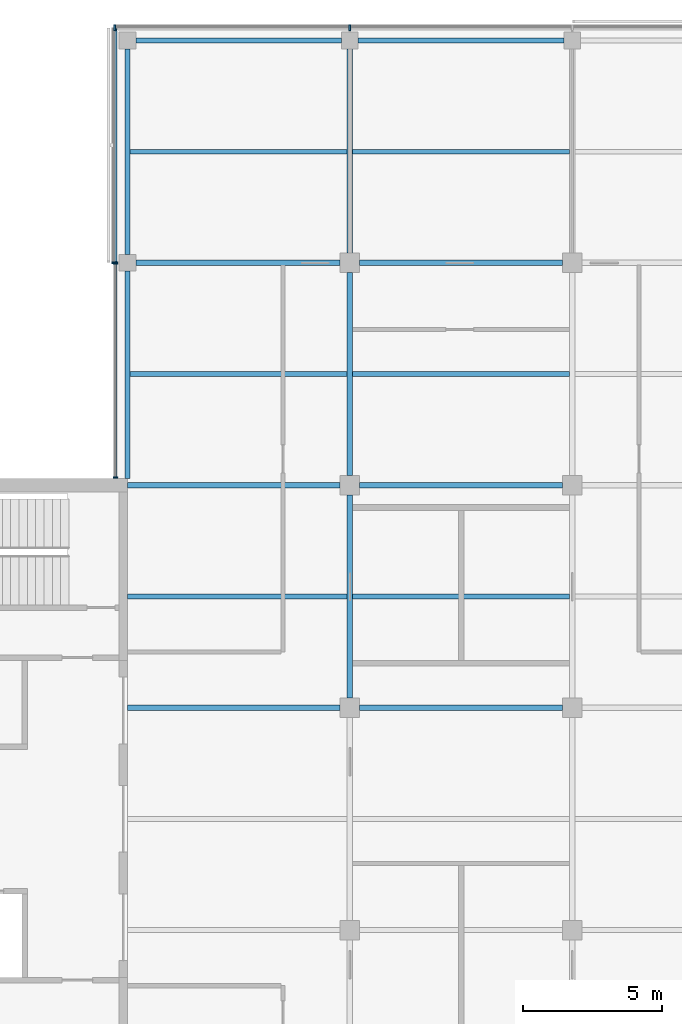
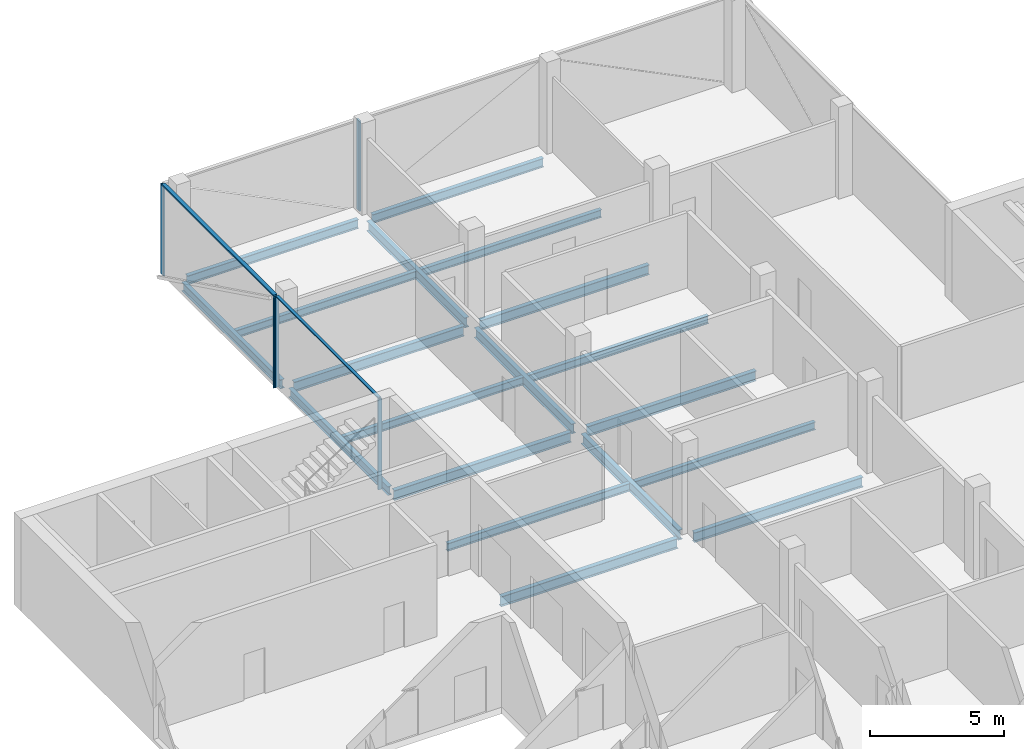
# One storey, part 5 of 16: 19 beams, 7 members, 3 elements without a shape of their own.
"""IFC4 building model written with IfcOpenShell, lengths in metres."""

import ifcopenshell
import ifcopenshell.guid

model = None  # the IFC model being written
_history = None  # IfcOwnerHistory: only IFC2X3 demands one
_inside = {}  # id of a spatial element -> (the spatial element, [elements in it])
_under = {}  # id of a project, library or spatial element -> (it, [spatial elements below it])
_declared = {}  # id of a project -> (the project, [libraries it declares])
_typed = {}  # id of a type object -> (the type object, [elements of that type])
_made_of = {}  # id of a material, layer set ... -> (it, [elements and type objects made of it])


def new_model(schema):
    """Start an empty IFC model of exactly this schema.

    Asked for "IFC4X3", IfcOpenShell would pick the latest addendum, in which some entities
    have other attributes; the version numbers below select the first issue.
    IFC2X3 requires an IfcOwnerHistory on every rooted entity: one is made here for all.
    """
    global model, _history
    if schema == "IFC4X3":
        model = ifcopenshell.file(schema_version=(4, 3, 0, 0))
    else:
        model = ifcopenshell.file(schema=schema)
    _inside.clear()
    _under.clear()
    _declared.clear()
    _typed.clear()
    _made_of.clear()
    _history = None
    if model.schema == "IFC2X3":
        org = make("IfcOrganization", Name="unknown")
        user = make(
            "IfcPersonAndOrganization",
            ThePerson=make("IfcPerson", FamilyName="unknown"),
            TheOrganization=org,
        )
        app = make(
            "IfcApplication",
            ApplicationDeveloper=org,
            Version="unknown",
            ApplicationFullName="unknown",
            ApplicationIdentifier="unknown",
        )
        _history = make(
            "IfcOwnerHistory",
            OwningUser=user,
            OwningApplication=app,
            ChangeAction="ADDED",
            CreationDate=0,
        )
    return model


def make(cls, **values):
    """One entity of the class cls with the attributes given. An attribute that is None is left unset."""
    return model.create_entity(
        cls, **{name: value for name, value in values.items() if value is not None}
    )


def rooted(cls, **values):
    """An entity with a GlobalId (a new one), such as an element, a storey or a relation."""
    return make(cls, GlobalId=ifcopenshell.guid.new(), OwnerHistory=_history, **values)


def si_unit(unit_type, name, prefix=None):
    """IfcSIUnit, for example si_unit("LENGTHUNIT", "METRE", prefix="MILLI")."""
    return make("IfcSIUnit", UnitType=unit_type, Prefix=prefix, Name=name)


def assignment(units):
    """IfcUnitAssignment: the units of a project."""
    return None if units is None else make("IfcUnitAssignment", Units=units)


def point(xyz):
    """IfcCartesianPoint."""
    return None if xyz is None else make("IfcCartesianPoint", Coordinates=xyz)


def direction(xyz):
    """IfcDirection."""
    return None if xyz is None else make("IfcDirection", DirectionRatios=xyz)


def frame(location, z_axis=None, x_axis=None):
    """IfcAxis2Placement3D, a coordinate frame: its origin and axes. An axis left out is left unset."""
    return make(
        "IfcAxis2Placement3D",
        Location=point(location),
        Axis=direction(z_axis),
        RefDirection=direction(x_axis),
    )


def frame_2d(location, x_axis=None):
    """IfcAxis2Placement2D, a coordinate frame in the plane: its origin and x axis."""
    return make(
        "IfcAxis2Placement2D", Location=point(location), RefDirection=direction(x_axis)
    )


def origin():
    """The frame at (0, 0, 0) with its axes left unset."""
    return frame((0.0, 0.0, 0.0))


def origin_2d():
    """The frame at (0, 0) in the plane with its x axis left unset."""
    return frame_2d((0.0, 0.0))


def place(relative_to, where):
    """IfcLocalPlacement: puts the frame where relative to a parent placement (None: the world)."""
    return make(
        "IfcLocalPlacement", PlacementRelTo=relative_to, RelativePlacement=where
    )


def context(
    kind, dimensions, precision=None, world=None, true_north=None, identifier=None
):
    """IfcGeometricRepresentationContext, for example the 3D "Model" context."""
    return make(
        "IfcGeometricRepresentationContext",
        ContextIdentifier=identifier,
        ContextType=kind,
        CoordinateSpaceDimension=dimensions,
        Precision=precision,
        WorldCoordinateSystem=world,
        TrueNorth=true_north,
    )


def subcontext(parent, identifier, kind, view, scale=None):
    """IfcGeometricRepresentationSubContext, for example "Body" below "Model"."""
    return make(
        "IfcGeometricRepresentationSubContext",
        ContextIdentifier=identifier,
        ContextType=kind,
        ParentContext=parent,
        TargetScale=scale,
        TargetView=view,
    )


def project(units=None, contexts=None):
    """IfcProject with its units and contexts."""
    return rooted(
        "IfcProject",
        Name="project",
        RepresentationContexts=contexts,
        UnitsInContext=assignment(units),
    )


def spatial(cls, under=None, at=None, **own):
    """A site, building, storey or space (cls), placed at a placement, below another one or the project."""
    s = rooted(cls, ObjectPlacement=at, **own)
    if under is not None:
        _under.setdefault(under.id(), (under, []))[1].append(s)
    return s


def profile(cls, at=None, kind="AREA", **sizes):
    """A parametric profile (cls). Its sizes go by their IFC names, for example OverallWidth=200.0."""
    return make(cls, ProfileType=kind, Position=at, **sizes)


def rectangle(**sizes):
    """IfcRectangleProfileDef."""
    return profile("IfcRectangleProfileDef", **sizes)


def i_section(**sizes):
    """IfcIShapeProfileDef."""
    return profile("IfcIShapeProfileDef", **sizes)


def extrude(swept, where, along, depth):
    """IfcExtrudedAreaSolid: the profile swept, set in the frame where, extruded along a direction by depth."""
    return make(
        "IfcExtrudedAreaSolid",
        SweptArea=swept,
        Position=where,
        ExtrudedDirection=direction(along),
        Depth=depth,
    )


def shape(context_of_items, identifier, shape_type, items):
    """IfcShapeRepresentation: the items that make up one representation, for example the "Body"."""
    return make(
        "IfcShapeRepresentation",
        ContextOfItems=context_of_items,
        RepresentationIdentifier=identifier,
        RepresentationType=shape_type,
        Items=items,
    )


def material(Name=None, Category=None):
    """IfcMaterial."""
    return make("IfcMaterial", Name=Name, Category=Category)


def material_profile(
    of_material, cross_section, Name=None, Category=None, Priority=None
):
    """IfcMaterialProfile: a cross section and its material."""
    return make(
        "IfcMaterialProfile",
        Name=Name,
        Material=of_material,
        Profile=cross_section,
        Priority=Priority,
        Category=Category,
    )


def profile_set(profiles, Name=None, composite=None):
    """IfcMaterialProfileSet."""
    return make(
        "IfcMaterialProfileSet",
        Name=Name,
        MaterialProfiles=profiles,
        CompositeProfile=composite,
    )


def made_of(thing, what):
    """Note that an element or type object is made of a material, layer set ...; save() writes the relation."""
    if what is not None:
        _made_of.setdefault(what.id(), (what, []))[1].append(thing)
    return thing


def type_object(cls, material=None, **own):
    """A type object (cls), such as IfcWallType, which elements share."""
    return made_of(rooted(cls, **own), material)


def element(
    cls,
    number,
    at=None,
    inside=None,
    cuts=None,
    type_object=None,
    material=None,
    context=None,
    identifier="Body",
    shape_type=None,
    held_by="IfcProductDefinitionShape",
    body=None,
    shapes=None,
    **own,
):
    """One element of the class cls, such as IfcWall. Its Tag is "e" and its number.

    at: its placement. inside: the storey or other place that contains it. cuts: it is an
    opening in that element (IfcRelVoidsElement). A single representation is given by context,
    identifier, shape_type and body (its items); several are given by shapes. held_by: the class
    of the entity that holds the representations. save() writes the other relations.
    """
    e = rooted(cls, Tag="e%d" % number, ObjectPlacement=at, **own)
    if body is not None:
        shapes = [shape(context, identifier, shape_type, body)]
    if shapes is not None:
        e.Representation = make(held_by, Representations=shapes)
    if inside is not None:
        _inside.setdefault(inside.id(), (inside, []))[1].append(e)
    if cuts is not None:
        rooted(
            "IfcRelVoidsElement", RelatingBuildingElement=cuts, RelatedOpeningElement=e
        )
    if type_object is not None:
        _typed.setdefault(type_object.id(), (type_object, []))[1].append(e)
    return made_of(e, material)


def aggregate(whole, parts):
    """IfcRelAggregates: a whole, such as a stair, and the parts it consists of."""
    return rooted("IfcRelAggregates", RelatingObject=whole, RelatedObjects=parts)


def save(model, path):
    """Write the relations noted so far, then the file.

    IfcRelAggregates (storeys below a building ...), IfcRelContainedInSpatialStructure (elements
    in a storey), IfcRelDefinesByType, IfcRelAssociatesMaterial and IfcRelDeclares: one each for
    every whole, place, type object, material and project.
    """
    for whole, parts in _under.values():
        aggregate(whole, parts)
    for where, things in _inside.values():
        rooted(
            "IfcRelContainedInSpatialStructure",
            RelatedElements=things,
            RelatingStructure=where,
        )
    for kind, things in _typed.values():
        rooted("IfcRelDefinesByType", RelatedObjects=things, RelatingType=kind)
    for what, things in _made_of.values():
        rooted("IfcRelAssociatesMaterial", RelatedObjects=things, RelatingMaterial=what)
    for by, libraries in _declared.values():
        rooted("IfcRelDeclares", RelatingContext=by, RelatedDefinitions=libraries)
    model.write(path)


model = new_model("IFC4")

# Units and contexts
model_context = context("Model", 3, precision=1e-05, world=origin(), true_north=direction((0.0, 1.0)))
body_context = subcontext(model_context, "Body", "Model", "MODEL_VIEW")
ifc_project = project(units=[si_unit("LENGTHUNIT", "METRE"), si_unit("AREAUNIT", "SQUARE_METRE"), si_unit("VOLUMEUNIT", "CUBIC_METRE"), si_unit("PLANEANGLEUNIT", "RADIAN"), si_unit("MASSUNIT", "GRAM", prefix="KILO")], contexts=[model_context])

# Site, building, storey
site_placement = place(None, origin())
site = spatial("IfcSite", under=ifc_project, at=site_placement, CompositionType="ELEMENT")
building_placement = place(site_placement, origin())
building = spatial("IfcBuilding", under=site, at=building_placement, Name="Crosswind Convention Tower", CompositionType="ELEMENT")
storey_placement = place(building_placement, frame((0.0, 0.0, 287.10009765625)))
storey = spatial("IfcBuildingStorey", under=building, at=storey_placement, Name="L62", CompositionType="ELEMENT", Elevation=287.10009765625)

# Beams
ifc_material_1 = material(Name="Steel S355", Category="steel")
ifc_material_profile_1 = material_profile(ifc_material_1, i_section(OverallWidth=0.177734375, OverallDepth=0.406494140625, WebThickness=0.0078125, FlangeThickness=0.0126953125, FilletRadius=0.01025390625, at=origin_2d()), Name="UB 406x178x60")
ifc_profile_set_1 = profile_set([ifc_material_profile_1], Name="Steel S355")
beam_type_1 = type_object("IfcBeamType", Name="Edge beam UB 406x178x60", PredefinedType="SPANDREL", material=ifc_profile_set_1)
beam_1_placement = place(storey_placement, frame((113.0, 112.25, -0.50341796875), z_axis=(0.0, 1.0, 0.0), x_axis=(-1.0, 0.0, 0.0)))
element("IfcBeam", 1, at=beam_1_placement, inside=storey, type_object=beam_type_1, Name="B15 L62 edge beam 3", PredefinedType="SPANDREL", context=body_context, shape_type="SweptSolid", body=[
    extrude(i_section(OverallWidth=0.177734375, OverallDepth=0.406494140625, WebThickness=0.0078125, FlangeThickness=0.0126953125, FilletRadius=0.01025390625, at=origin_2d()), origin(), (0.0, 0.0, 1.0), 7.449951171875),
])
for number, where, z_axis, x_axis, name in (
    (2, (113.0, 120.300048828125, -0.50341796875), (0.0, 1.0, 0.0), (-1.0, 0.0, 0.0), "B15 L62 edge beam 4"),
    (3, (113.300048828125, 128.0, -0.50341796875), (1.0, 0.0, 0.0), (0.0, 1.0, 0.0), "B15 L62 edge beam 6"),
    (4, (121.300048828125, 128.0, -0.50341796875), (1.0, 0.0, 0.0), (0.0, 1.0, 0.0), "B15 L62 edge beam 8"),
):
    element("IfcBeam", number, at=place(storey_placement, frame(where, z_axis=z_axis, x_axis=x_axis)), inside=storey, type_object=beam_type_1, Name=name, PredefinedType="SPANDREL", context=body_context, shape_type="SweptSolid", body=[
        extrude(i_section(OverallWidth=0.177734375, OverallDepth=0.406494140625, WebThickness=0.0078125, FlangeThickness=0.0126953125, FilletRadius=0.01025390625, at=origin_2d()), origin(), (0.0, 0.0, 1.0), 7.39990234375),
    ])
ifc_material_profile_2 = material_profile(ifc_material_1, i_section(OverallWidth=0.18994140625, OverallDepth=0.45361328125, WebThickness=0.008544921875, FlangeThickness=0.0126953125, FilletRadius=0.01025390625, at=origin_2d()), Name="UB 457x191x67")
ifc_profile_set_2 = profile_set([ifc_material_profile_2], Name="Steel S355")
beam_type_2 = type_object("IfcBeamType", Name="Girder UB 457x191x67", PredefinedType="BEAM", material=ifc_profile_set_2)
beam_2_placement = place(storey_placement, frame((113.300048828125, 120.0, -0.52685546875), z_axis=(1.0, 0.0, 0.0), x_axis=(0.0, 1.0, 0.0)))
element("IfcBeam", 5, at=beam_2_placement, inside=storey, type_object=beam_type_2, Name="B1 L62 girder 2", PredefinedType="BEAM", context=body_context, shape_type="SweptSolid", body=[
    extrude(i_section(OverallWidth=0.18994140625, OverallDepth=0.45361328125, WebThickness=0.008544921875, FlangeThickness=0.0126953125, FilletRadius=0.01025390625, at=origin_2d()), origin(), (0.0, 0.0, 1.0), 7.349853515625),
])
for number, where, z_axis, x_axis, name in (
    (6, (121.0, 104.35009765625, -0.52685546875), (0.0, 1.0, 0.0), (-1.0, 0.0, 0.0), "B1 L62 girder 7"),
    (7, (121.0, 112.35009765625, -0.52685546875), (0.0, 1.0, 0.0), (-1.0, 0.0, 0.0), "B1 L62 girder 8"),
):
    element("IfcBeam", number, at=place(storey_placement, frame(where, z_axis=z_axis, x_axis=x_axis)), inside=storey, type_object=beam_type_2, Name=name, PredefinedType="BEAM", context=body_context, shape_type="SweptSolid", body=[
        extrude(i_section(OverallWidth=0.18994140625, OverallDepth=0.45361328125, WebThickness=0.008544921875, FlangeThickness=0.0126953125, FilletRadius=0.01025390625, at=origin_2d()), origin(), (0.0, 0.0, 1.0), 7.2998046875),
    ])
beam_3_placement = place(storey_placement, frame((121.0, 120.35009765625, -0.52685546875), z_axis=(0.0, 1.0, 0.0), x_axis=(-1.0, 0.0, 0.0)))
element("IfcBeam", 8, at=beam_3_placement, inside=storey, type_object=beam_type_2, Name="B1 L62 girder 9", PredefinedType="BEAM", context=body_context, shape_type="SweptSolid", body=[
    extrude(i_section(OverallWidth=0.18994140625, OverallDepth=0.45361328125, WebThickness=0.008544921875, FlangeThickness=0.0126953125, FilletRadius=0.01025390625, at=origin_2d()), origin(), (0.0, 0.0, 1.0), 7.349853515625),
])
for number, where, z_axis, x_axis, name in (
    (9, (121.35009765625, 104.0, -0.52685546875), (1.0, 0.0, 0.0), (0.0, 1.0, 0.0), "B1 L62 girder 13"),
    (10, (121.35009765625, 112.0, -0.52685546875), (1.0, 0.0, 0.0), (0.0, 1.0, 0.0), "B1 L62 girder 14"),
    (11, (121.35009765625, 120.0, -0.52685546875), (1.0, 0.0, 0.0), (0.0, 1.0, 0.0), "B1 L62 girder 15"),
):
    element("IfcBeam", number, at=place(storey_placement, frame(where, z_axis=z_axis, x_axis=x_axis)), inside=storey, type_object=beam_type_2, Name=name, PredefinedType="BEAM", context=body_context, shape_type="SweptSolid", body=[
        extrude(i_section(OverallWidth=0.18994140625, OverallDepth=0.45361328125, WebThickness=0.008544921875, FlangeThickness=0.0126953125, FilletRadius=0.01025390625, at=origin_2d()), origin(), (0.0, 0.0, 1.0), 7.2998046875),
    ])
ifc_material_profile_3 = material_profile(ifc_material_1, i_section(OverallWidth=0.1904296875, OverallDepth=0.457275390625, WebThickness=0.009033203125, FlangeThickness=0.014404296875, FilletRadius=0.01025390625, at=origin_2d()), Name="UB 457x191x75")
ifc_profile_set_3 = profile_set([ifc_material_profile_3], Name="Steel S355")
beam_type_3 = type_object("IfcBeamType", Name="Girder at core wall UB 457x191x75", PredefinedType="BEAM", material=ifc_profile_set_3)
for number, where, z_axis, x_axis, name in (
    (12, (113.0, 104.0, -0.52880859375), (1.0, 0.0, 0.0), (0.0, 1.0, 0.0), "B22 L62 girder at core wall 3"),
    (13, (113.0, 112.0, -0.52880859375), (1.0, 0.0, 0.0), (0.0, 1.0, 0.0), "B22 L62 girder at core wall 4"),
):
    element("IfcBeam", number, at=place(storey_placement, frame(where, z_axis=z_axis, x_axis=x_axis)), inside=storey, type_object=beam_type_3, Name=name, PredefinedType="BEAM", context=body_context, shape_type="SweptSolid", body=[
        extrude(i_section(OverallWidth=0.1904296875, OverallDepth=0.457275390625, WebThickness=0.009033203125, FlangeThickness=0.014404296875, FilletRadius=0.01025390625, at=origin_2d()), origin(), (0.0, 0.0, 1.0), 7.64990234375),
    ])

# Curtain wall, members
ifc_material_2 = material(Name="Aluminium unitised curtain wall", Category="aluminium")
curtain_wall_type_1 = type_object("IfcCurtainWallType", Name="CORE END SLOT WALL 160", PredefinedType="USERDEFINED", material=ifc_material_2)
curtain_wall_1_placement = place(storey_placement, origin())
curtain_wall_1 = element("IfcCurtainWall", 14, at=curtain_wall_1_placement, inside=storey, type_object=curtain_wall_type_1, Name="CW6 L62 N-W.1-2 slot", ObjectType="UNITISED", PredefinedType="USERDEFINED")
ifc_material_3 = material(Name="Aluminium mullion", Category="aluminium")
ifc_material_profile_4 = material_profile(ifc_material_3, rectangle(XDim=0.159912109375, YDim=0.050048828125, at=origin_2d()), Name="AL 160X50")
ifc_profile_set_4 = profile_set([ifc_material_profile_4], Name="Aluminium mullion")
member_type_1 = type_object("IfcMemberType", Name="MULLION 50X160", PredefinedType="MULLION", material=ifc_profile_set_4)
member_1_placement = place(storey_placement, frame((112.570068359375, 119.97509765625, -0.300048828125), z_axis=(0.0, 0.0, 1.0), x_axis=(-1.0, 0.0, 0.0)))
member_1 = element("IfcMember", 15, at=member_1_placement, type_object=member_type_1, Name="CW6 mullion 1", PredefinedType="MULLION", context=body_context, shape_type="SweptSolid", body=[
    extrude(rectangle(XDim=0.159912109375, YDim=0.050048828125, at=origin_2d()), origin(), (0.0, 0.0, 1.0), 4.14990234375),
])
member_2_placement = place(storey_placement, frame((112.570068359375, 112.27490234375, -0.300048828125), z_axis=(0.0, 0.0, 1.0), x_axis=(-1.0, 0.0, 0.0)))
member_2 = element("IfcMember", 16, at=member_2_placement, type_object=member_type_1, Name="CW6 mullion 2", PredefinedType="MULLION", context=body_context, shape_type="SweptSolid", body=[
    extrude(rectangle(XDim=0.159912109375, YDim=0.050048828125, at=origin_2d()), origin(), (0.0, 0.0, 1.0), 4.14990234375),
])

curtain_wall_type_2 = type_object("IfcCurtainWallType", Name="OFFICE UNITISED WALL 220", PredefinedType="USERDEFINED", material=ifc_material_2)
curtain_wall_2_placement = place(storey_placement, origin())
curtain_wall_2 = element("IfcCurtainWall", 17, at=curtain_wall_2_placement, inside=storey, type_object=curtain_wall_type_2, Name="CW3 L62 N-TIP 1", ObjectType="UNITISED", PredefinedType="USERDEFINED")
ifc_material_profile_5 = material_profile(ifc_material_3, rectangle(XDim=0.219970703125, YDim=0.070068359375, at=origin_2d()), Name="AL 220X70")
ifc_profile_set_5 = profile_set([ifc_material_profile_5], Name="Aluminium mullion")
member_type_2 = type_object("IfcMemberType", Name="MULLION 70X220", PredefinedType="MULLION", material=ifc_profile_set_5)
member_3_placement = place(storey_placement, frame((121.0, 128.4599609375, -0.300048828125), z_axis=(0.0, 0.0, 1.0), x_axis=(0.0, 1.0, 0.0)))
member_3 = element("IfcMember", 18, at=member_3_placement, type_object=member_type_2, Name="CW3 mullion 3", PredefinedType="MULLION", context=body_context, shape_type="SweptSolid", body=[
    extrude(rectangle(XDim=0.219970703125, YDim=0.070068359375, at=origin_2d()), origin(), (0.0, 0.0, 1.0), 4.1298828125),
])
member_4_placement = place(storey_placement, frame((112.5400390625, 128.4599609375, -0.300048828125), z_axis=(0.0, 0.0, 1.0), x_axis=(0.0, 1.0, 0.0)))
member_4 = element("IfcMember", 19, at=member_4_placement, type_object=member_type_2, Name="CW3 mullion 4", PredefinedType="MULLION", context=body_context, shape_type="SweptSolid", body=[
    extrude(rectangle(XDim=0.219970703125, YDim=0.070068359375, at=origin_2d()), origin(), (0.0, 0.0, 1.0), 4.1298828125),
])
aggregate(curtain_wall_2, [member_3, member_4])

# Curtain wall, member
curtain_wall_3_placement = place(storey_placement, origin())
curtain_wall_3 = element("IfcCurtainWall", 20, at=curtain_wall_3_placement, inside=storey, type_object=curtain_wall_type_2, Name="CW3 L62 N-W 1", ObjectType="UNITISED", PredefinedType="USERDEFINED")
member_5_placement = place(storey_placement, frame((112.5400390625, 120.0, -0.300048828125), z_axis=(0.0, 0.0, 1.0), x_axis=(-1.0, 0.0, 0.0)))
member_5 = element("IfcMember", 21, at=member_5_placement, type_object=member_type_2, Name="CW3 mullion 2", PredefinedType="MULLION", context=body_context, shape_type="SweptSolid", body=[
    extrude(rectangle(XDim=0.219970703125, YDim=0.070068359375, at=origin_2d()), origin(), (0.0, 0.0, 1.0), 4.1298828125),
])

# Beams
ifc_material_profile_6 = material_profile(ifc_material_1, i_section(OverallWidth=0.17138671875, OverallDepth=0.355712890625, WebThickness=0.00732421875, FlangeThickness=0.011474609375, FilletRadius=0.01025390625, at=origin_2d()), Name="UB 356x171x51")
ifc_profile_set_6 = profile_set([ifc_material_profile_6], Name="Steel S355")
beam_type_4 = type_object("IfcBeamType", Name="Secondary beam UB 356x171x51", PredefinedType="JOIST", material=ifc_profile_set_6)
beam_4_placement = place(storey_placement, frame((113.0, 108.0, -0.477783203125), z_axis=(1.0, 0.0, 0.0), x_axis=(0.0, 1.0, 0.0)))
element("IfcBeam", 22, at=beam_4_placement, inside=storey, type_object=beam_type_4, Name="B8 L62 secondary beam 3", PredefinedType="JOIST", context=body_context, shape_type="SweptSolid", body=[
    extrude(i_section(OverallWidth=0.17138671875, OverallDepth=0.355712890625, WebThickness=0.00732421875, FlangeThickness=0.011474609375, FilletRadius=0.01025390625, at=origin_2d()), origin(), (0.0, 0.0, 1.0), 7.905029296875),
])
for number, where, z_axis, x_axis, name in (
    (23, (113.0888671875, 116.0, -0.477783203125), (1.0, 0.0, 0.0), (0.0, 1.0, 0.0), "B8 L62 secondary beam 6"),
    (24, (113.0888671875, 124.0, -0.477783203125), (1.0, 0.0, 0.0), (0.0, 1.0, 0.0), "B8 L62 secondary beam 7"),
):
    element("IfcBeam", number, at=place(storey_placement, frame(where, z_axis=z_axis, x_axis=x_axis)), inside=storey, type_object=beam_type_4, Name=name, PredefinedType="JOIST", context=body_context, shape_type="SweptSolid", body=[
        extrude(i_section(OverallWidth=0.17138671875, OverallDepth=0.355712890625, WebThickness=0.00732421875, FlangeThickness=0.011474609375, FilletRadius=0.01025390625, at=origin_2d()), origin(), (0.0, 0.0, 1.0), 7.816162109375),
    ])
for number, where, z_axis, x_axis, name in (
    (25, (121.094970703125, 108.0, -0.477783203125), (1.0, 0.0, 0.0), (0.0, 1.0, 0.0), "B8 L62 secondary beam 12"),
    (26, (121.094970703125, 116.0, -0.477783203125), (1.0, 0.0, 0.0), (0.0, 1.0, 0.0), "B8 L62 secondary beam 13"),
    (27, (121.094970703125, 124.0, -0.477783203125), (1.0, 0.0, 0.0), (0.0, 1.0, 0.0), "B8 L62 secondary beam 14"),
):
    element("IfcBeam", number, at=place(storey_placement, frame(where, z_axis=z_axis, x_axis=x_axis)), inside=storey, type_object=beam_type_4, Name=name, PredefinedType="JOIST", context=body_context, shape_type="SweptSolid", body=[
        extrude(i_section(OverallWidth=0.17138671875, OverallDepth=0.355712890625, WebThickness=0.00732421875, FlangeThickness=0.011474609375, FilletRadius=0.01025390625, at=origin_2d()), origin(), (0.0, 0.0, 1.0), 7.81005859375),
    ])

# Member
ifc_material_4 = material(Name="Aluminium transom", Category="aluminium")
ifc_material_profile_7 = material_profile(ifc_material_4, rectangle(XDim=0.1201171875, YDim=0.050048828125, at=origin_2d()), Name="AL 120X50")
ifc_profile_set_7 = profile_set([ifc_material_profile_7], Name="Aluminium transom")
member_type_3 = type_object("IfcMemberType", Name="TRANSOM 50X120", PredefinedType="USERDEFINED", material=ifc_profile_set_7)
member_6_placement = place(storey_placement, frame((112.570068359375, 119.949951171875, 3.875), z_axis=(0.0, -1.0, 0.0), x_axis=(1.0, 0.0, 0.0)))
member_6 = element("IfcMember", 28, at=member_6_placement, type_object=member_type_3, Name="CW6 transom", ObjectType="TRANSOM", PredefinedType="USERDEFINED", context=body_context, shape_type="SweptSolid", body=[
    extrude(rectangle(XDim=0.1201171875, YDim=0.050048828125, at=origin_2d()), origin(), (0.0, 0.0, 1.0), 7.64990234375),
])

aggregate(curtain_wall_1, [member_1, member_2, member_6])

ifc_material_profile_8 = material_profile(ifc_material_4, rectangle(XDim=0.159912109375, YDim=0.070068359375, at=origin_2d()), Name="AL 160X70")
ifc_profile_set_8 = profile_set([ifc_material_profile_8], Name="Aluminium transom")
member_type_4 = type_object("IfcMemberType", Name="TRANSOM 70X160", PredefinedType="USERDEFINED", material=ifc_profile_set_8)
member_7_placement = place(storey_placement, frame((112.5400390625, 128.425048828125, 3.864990234375), z_axis=(0.0, -1.0, 0.0), x_axis=(1.0, 0.0, 0.0)))
member_7 = element("IfcMember", 29, at=member_7_placement, type_object=member_type_4, Name="CW3 transom", ObjectType="TRANSOM", PredefinedType="USERDEFINED", context=body_context, shape_type="SweptSolid", body=[
    extrude(rectangle(XDim=0.159912109375, YDim=0.070068359375, at=origin_2d()), origin(), (0.0, 0.0, 1.0), 8.39013671875),
])

aggregate(curtain_wall_3, [member_5, member_7])

save(model, "model.ifc")
